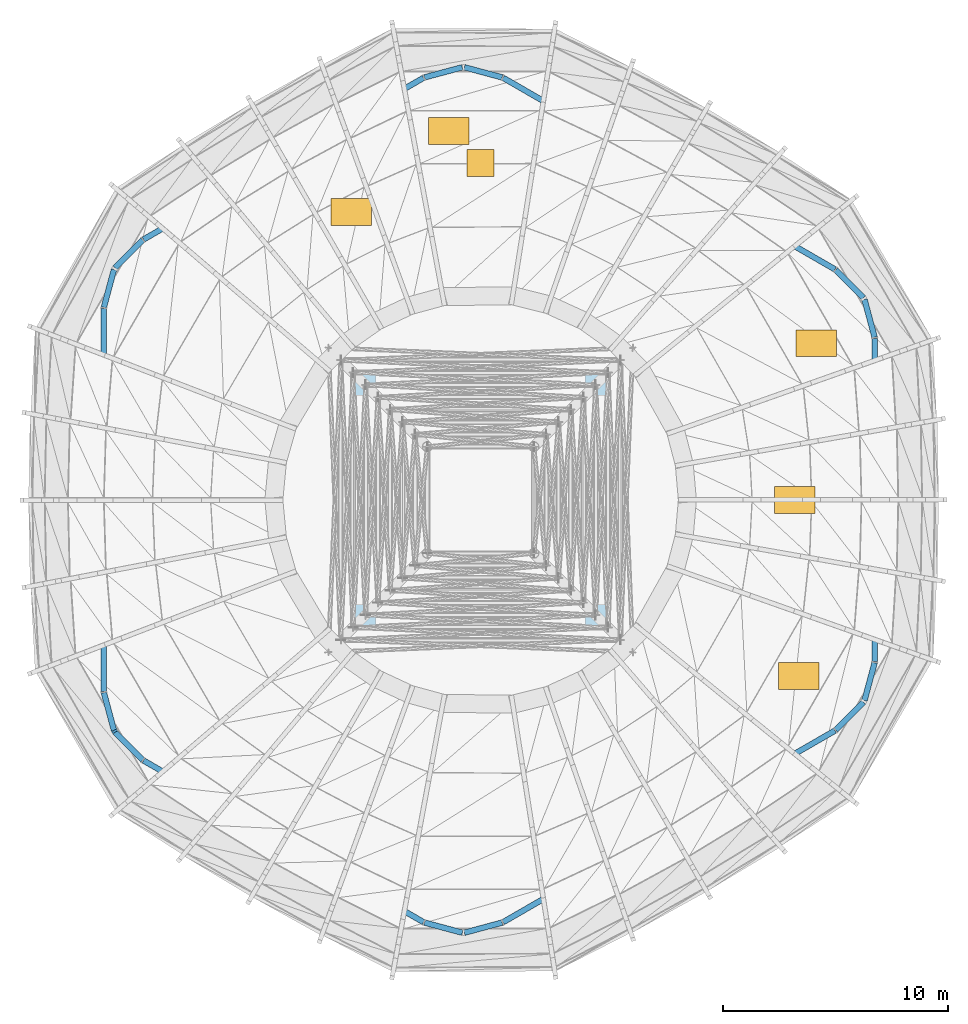
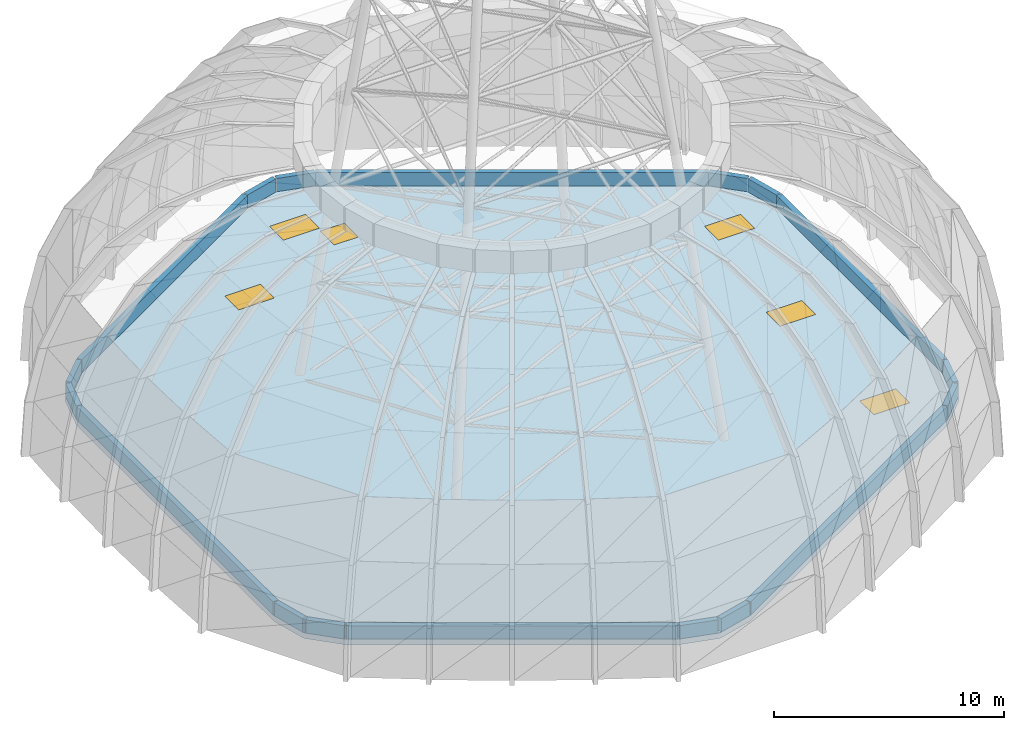
"""IFC4 building model written with IfcOpenShell, lengths in metres."""

from ifc_helpers import new_model, si_unit, direction, frame, frame_2d, origin, origin_2d, place, context, subcontext, project, spatial, polyline, rectangle, outline, extrude, material, layer, layer_set, type_object, element, fill, save


model = new_model("IFC4")

# Units and contexts
model_context = context("Model", 3, precision=1e-05, world=origin(), true_north=direction((0.0, 1.0)))
body_context = subcontext(model_context, "Body", "Model", "MODEL_VIEW")
ifc_project = project(units=[si_unit("LENGTHUNIT", "METRE"), si_unit("AREAUNIT", "SQUARE_METRE"), si_unit("VOLUMEUNIT", "CUBIC_METRE"), si_unit("PLANEANGLEUNIT", "RADIAN"), si_unit("MASSUNIT", "GRAM", prefix="KILO")], contexts=[model_context])

# Site, building, storey
site_placement = place(None, origin())
site = spatial("IfcSite", under=ifc_project, at=site_placement, CompositionType="ELEMENT")
building_placement = place(site_placement, origin())
building = spatial("IfcBuilding", under=site, at=building_placement, Name="Ayvan Gate Tower", CompositionType="ELEMENT")
storey_1_placement = place(building_placement, frame((0.0, 0.0, 267.699951171875)))
storey_1 = spatial("IfcBuildingStorey", under=building, at=storey_1_placement, Name="Roof", CompositionType="ELEMENT", Elevation=267.699951171875)

# Slab, openings
ifc_material_1 = material(Name="Concrete C40/50", Category="concrete")
ifc_layer_1 = layer(ifc_material_1, 0.300048828125)
ifc_layer_set_1 = layer_set([ifc_layer_1], Name="Concrete C40/50")
slab_type = type_object("IfcSlabType", Name="Roof slab 300", PredefinedType="ROOF", material=ifc_layer_set_1)
slab_placement = place(storey_1_placement, origin())
slab = element("IfcSlab", 1, at=slab_placement, inside=storey_1, type_object=slab_type, Name="Roof slab", PredefinedType="ROOF", context=body_context, shape_type="SweptSolid", body=[
    extrude(outline(polyline([(1.0595703125, 18.896240234375), (0.999267578125, 18.921142578125), (-0.703369140625, 19.37744140625), (-0.832763671875, 19.37744140625), (-2.535400390625, 18.921142578125), (-2.595703125, 18.896240234375), (-15.06689453125, 11.696044921875), (-15.11865234375, 11.65625), (-16.364990234375, 10.409912109375), (-16.4296875, 10.2978515625), (-16.885986328125, 8.59521484375), (-16.89453125, 8.530517578125), (-16.89453125, -8.530517578125), (-16.885986328125, -8.59521484375), (-16.4296875, -10.2978515625), (-16.364990234375, -10.409912109375), (-15.11865234375, -11.65625), (-15.06689453125, -11.696044921875), (-2.595703125, -18.896240234375), (-2.535400390625, -18.921142578125), (-0.832763671875, -19.37744140625), (-0.703369140625, -19.37744140625), (0.999267578125, -18.921142578125), (1.0595703125, -18.896240234375), (15.8349609375, -10.36572265625), (15.88671875, -10.326171875), (17.133056640625, -9.07958984375), (17.19775390625, -8.967529296875), (17.654052734375, -7.264892578125), (17.66259765625, -7.2001953125), (17.66259765625, 7.2001953125), (17.654052734375, 7.264892578125), (17.19775390625, 8.967529296875), (17.133056640625, 9.07958984375), (15.88671875, 10.326171875), (15.8349609375, 10.36572265625), (1.0595703125, 18.896240234375)])), origin(), (0.0, 0.0, 1.0), 0.300048828125),
])
opening_1_placement = place(slab_placement, frame((0.0, 15.0, -0.010009765625)))
opening_1 = element("IfcOpeningElement", 2, at=opening_1_placement, cuts=slab, Name="Opening RH-1", PredefinedType="OPENING", context=body_context, shape_type="SweptSolid", body=[
    extrude(rectangle(XDim=1.199951171875, YDim=1.199951171875, at=origin_2d()), origin(), (0.0, 0.0, 1.0), 0.320068359375),
])
opening_2_placement = place(slab_placement, frame((-5.75390625, 12.819091796875, -0.010009765625)))
opening_2 = element("IfcOpeningElement", 3, at=opening_2_placement, cuts=slab, Name="Opening RH-2", PredefinedType="OPENING", context=body_context, shape_type="SweptSolid", body=[
    extrude(rectangle(XDim=1.800048828125, YDim=1.199951171875, at=origin_2d()), origin(), (0.0, 0.0, 1.0), 0.320068359375),
])
opening_3_placement = place(slab_placement, frame((14.929931640625, 6.97412109375, -0.010009765625)))
opening_3 = element("IfcOpeningElement", 4, at=opening_3_placement, cuts=slab, Name="Opening RH-2", PredefinedType="OPENING", context=body_context, shape_type="SweptSolid", body=[
    extrude(rectangle(XDim=1.800048828125, YDim=1.199951171875, at=origin_2d()), origin(), (0.0, 0.0, 1.0), 0.320068359375),
])
opening_4_placement = place(slab_placement, frame((13.97900390625, 0.0, -0.010009765625)))
opening_4 = element("IfcOpeningElement", 5, at=opening_4_placement, cuts=slab, Name="Opening RH-2", PredefinedType="OPENING", context=body_context, shape_type="SweptSolid", body=[
    extrude(rectangle(XDim=1.800048828125, YDim=1.199951171875, at=origin_2d()), origin(), (0.0, 0.0, 1.0), 0.320068359375),
])
opening_5_placement = place(slab_placement, frame((-1.426025390625, 16.4169921875, -0.010009765625)))
opening_5 = element("IfcOpeningElement", 6, at=opening_5_placement, cuts=slab, Name="Opening RH-2", PredefinedType="OPENING", context=body_context, shape_type="SweptSolid", body=[
    extrude(rectangle(XDim=1.800048828125, YDim=1.199951171875, at=origin_2d()), origin(), (0.0, 0.0, 1.0), 0.320068359375),
])
opening_6_placement = place(slab_placement, frame((14.159912109375, -7.8349609375, -0.010009765625)))
opening_6 = element("IfcOpeningElement", 7, at=opening_6_placement, cuts=slab, Name="Opening RH-2", PredefinedType="OPENING", context=body_context, shape_type="SweptSolid", body=[
    extrude(rectangle(XDim=1.800048828125, YDim=1.199951171875, at=origin_2d()), origin(), (0.0, 0.0, 1.0), 0.320068359375),
])

# Storey
storey_2_placement = place(building_placement, frame((0.0, 0.0, 262.89990234375)))
storey_2 = spatial("IfcBuildingStorey", under=building, at=storey_2_placement, Name="L70", CompositionType="ELEMENT", Elevation=262.89990234375)

# Window
ifc_material_2 = material(Name="Aluminium", Category="aluminium")
window_type_1 = type_object("IfcWindowType", Name="Plant equipment hatch", PartitioningType="DOUBLE_PANEL_HORIZONTAL", PredefinedType="SKYLIGHT", material=ifc_material_2)
window_1_placement = place(opening_2_placement, frame((0.0, 0.0, 0.260009765625)))
window_1 = element("IfcWindow", 8, at=window_1_placement, inside=storey_2, type_object=window_type_1, Name="Plant equipment hatch 1", OverallHeight=1.199951171875, OverallWidth=1.800048828125, PartitioningType="SINGLE_PANEL", PredefinedType="SKYLIGHT", context=body_context, shape_type="SweptSolid", body=[
    extrude(rectangle(XDim=1.800048828125, YDim=1.199951171875, at=origin_2d()), origin(), (0.0, 0.0, 1.0), 0.050048828125),
])

fill(opening_2, window_1)

window_2_placement = place(opening_3_placement, frame((0.0, 0.0, 0.260009765625)))
window_2 = element("IfcWindow", 9, at=window_2_placement, inside=storey_2, type_object=window_type_1, Name="Plant equipment hatch 2", OverallHeight=1.199951171875, OverallWidth=1.800048828125, PartitioningType="SINGLE_PANEL", PredefinedType="SKYLIGHT", context=body_context, shape_type="SweptSolid", body=[
    extrude(rectangle(XDim=1.800048828125, YDim=1.199951171875, at=origin_2d()), origin(), (0.0, 0.0, 1.0), 0.050048828125),
])

fill(opening_3, window_2)

window_3_placement = place(opening_4_placement, frame((0.0, 0.0, 0.260009765625)))
window_3 = element("IfcWindow", 10, at=window_3_placement, inside=storey_2, type_object=window_type_1, Name="Plant equipment hatch 3", OverallHeight=1.199951171875, OverallWidth=1.800048828125, PartitioningType="SINGLE_PANEL", PredefinedType="SKYLIGHT", context=body_context, shape_type="SweptSolid", body=[
    extrude(rectangle(XDim=1.800048828125, YDim=1.199951171875, at=origin_2d()), origin(), (0.0, 0.0, 1.0), 0.050048828125),
])

fill(opening_4, window_3)

window_4_placement = place(opening_5_placement, frame((0.0, 0.0, 0.260009765625)))
window_4 = element("IfcWindow", 11, at=window_4_placement, inside=storey_2, type_object=window_type_1, Name="Plant equipment hatch 4", OverallHeight=1.199951171875, OverallWidth=1.800048828125, PartitioningType="SINGLE_PANEL", PredefinedType="SKYLIGHT", context=body_context, shape_type="SweptSolid", body=[
    extrude(rectangle(XDim=1.800048828125, YDim=1.199951171875, at=origin_2d()), origin(), (0.0, 0.0, 1.0), 0.050048828125),
])

fill(opening_5, window_4)

window_5_placement = place(opening_6_placement, frame((0.0, 0.0, 0.260009765625)))
window_5 = element("IfcWindow", 12, at=window_5_placement, inside=storey_2, type_object=window_type_1, Name="Plant equipment hatch 5", OverallHeight=1.199951171875, OverallWidth=1.800048828125, PartitioningType="SINGLE_PANEL", PredefinedType="SKYLIGHT", context=body_context, shape_type="SweptSolid", body=[
    extrude(rectangle(XDim=1.800048828125, YDim=1.199951171875, at=origin_2d()), origin(), (0.0, 0.0, 1.0), 0.050048828125),
])

fill(opening_6, window_5)

window_type_2 = type_object("IfcWindowType", Name="Roof hatch", PartitioningType="SINGLE_PANEL", PredefinedType="SKYLIGHT", material=ifc_material_2)
window_6_placement = place(opening_1_placement, frame((0.0, 0.0, 0.260009765625)))
window_6 = element("IfcWindow", 13, at=window_6_placement, inside=storey_2, type_object=window_type_2, Name="Roof hatch", OverallHeight=1.199951171875, OverallWidth=1.199951171875, PartitioningType="SINGLE_PANEL", PredefinedType="SKYLIGHT", context=body_context, shape_type="SweptSolid", body=[
    extrude(rectangle(XDim=1.199951171875, YDim=1.199951171875, at=origin_2d()), origin(), (0.0, 0.0, 1.0), 0.050048828125),
])

fill(opening_1, window_6)

# Walls
ifc_material_3 = material(Name="Pale metal cladding on insulated wall")
ifc_layer_2 = layer(ifc_material_3, 0.25)
ifc_layer_set_2 = layer_set([ifc_layer_2], Name="Pale metal cladding on insulated wall")
wall_type = type_object("IfcWallType", Name="Parapet wall 250", PredefinedType="PARAPET", material=ifc_layer_set_2)
wall_1_placement = place(storey_1_placement, frame((0.958984375, 18.802734375, 0.300048828125), z_axis=(0.0, 0.0, 1.0), x_axis=(-0.965940527619, 0.258764172757, 0.0)))
element("IfcWall", 14, at=wall_1_placement, inside=storey_1, type_object=wall_type, Name="EW:parapet:01", PredefinedType="PARAPET", context=body_context, shape_type="SweptSolid", body=[
    extrude(rectangle(XDim=1.73779296875, YDim=0.25, at=frame_2d((0.868896484375, 0.0))), origin(), (0.0, 0.0, 1.0), 0.699951171875),
])
wall_2_placement = place(storey_1_placement, frame((-0.816162109375, 19.25244140625, 0.300048828125), z_axis=(0.0, 0.0, 1.0), x_axis=(-0.965949932091, -0.258729064259, 0.0)))
element("IfcWall", 15, at=wall_2_placement, inside=storey_1, type_object=wall_type, Name="EW:parapet:03", PredefinedType="PARAPET", context=body_context, shape_type="SweptSolid", body=[
    extrude(rectangle(XDim=1.738037109375, YDim=0.25, at=frame_2d((0.869140625, 0.0))), origin(), (0.0, 0.0, 1.0), 0.699951171875),
])
wall_3_placement = place(storey_1_placement, frame((-2.540283203125, 18.783935546875, 0.300048828125), z_axis=(0.0, 0.0, 1.0), x_axis=(-0.86602334692, -0.500003562577, 0.0)))
element("IfcWall", 16, at=wall_3_placement, inside=storey_1, type_object=wall_type, Name="EW:parapet:05", PredefinedType="PARAPET", context=body_context, shape_type="SweptSolid", body=[
    extrude(rectangle(XDim=14.38427734375, YDim=0.25, at=frame_2d((7.192138671875, 0.0))), origin(), (0.0, 0.0, 1.0), 0.699951171875),
])
wall_4_placement = place(storey_1_placement, frame((-15.0361328125, 11.562255859375, 0.300048828125), z_axis=(0.0, 0.0, 1.0), x_axis=(-0.707036537629, -0.707177017767, 0.0)))
element("IfcWall", 17, at=wall_4_placement, inside=storey_1, type_object=wall_type, Name="EW:parapet:07", PredefinedType="PARAPET", context=body_context, shape_type="SweptSolid", body=[
    extrude(rectangle(XDim=1.73779296875, YDim=0.25, at=frame_2d((0.868896484375, 0.0))), origin(), (0.0, 0.0, 1.0), 0.699951171875),
])
wall_5_placement = place(storey_1_placement, frame((-16.313232421875, 10.24951171875, 0.300048828125), z_axis=(0.0, 0.0, 1.0), x_axis=(-0.258895239229, -0.965905406913, 0.0)))
element("IfcWall", 18, at=wall_5_placement, inside=storey_1, type_object=wall_type, Name="EW:parapet:09", PredefinedType="PARAPET", context=body_context, shape_type="SweptSolid", body=[
    extrude(rectangle(XDim=1.738037109375, YDim=0.25, at=frame_2d((0.869140625, 0.0))), origin(), (0.0, 0.0, 1.0), 0.699951171875),
])
wall_6_placement = place(storey_1_placement, frame((-16.76953125, 8.522216796875, 0.300048828125), z_axis=(0.0, 0.0, 1.0), x_axis=(0.0, -1.0, 0.0)))
element("IfcWall", 19, at=wall_6_placement, inside=storey_1, type_object=wall_type, Name="EW:parapet:11", PredefinedType="PARAPET", context=body_context, shape_type="SweptSolid", body=[
    extrude(rectangle(XDim=17.04443359375, YDim=0.25, at=frame_2d((8.522216796875, 0.0))), origin(), (0.0, 0.0, 1.0), 0.699951171875),
])
wall_7_placement = place(storey_1_placement, frame((-16.76318359375, -8.57080078125, 0.300048828125), z_axis=(0.0, 0.0, 1.0), x_axis=(0.258895239229, -0.965905406913, 0.0)))
element("IfcWall", 20, at=wall_7_placement, inside=storey_1, type_object=wall_type, Name="EW:parapet:13", PredefinedType="PARAPET", context=body_context, shape_type="SweptSolid", body=[
    extrude(rectangle(XDim=1.738037109375, YDim=0.25, at=frame_2d((0.869140625, 0.0))), origin(), (0.0, 0.0, 1.0), 0.699951171875),
])
wall_8_placement = place(storey_1_placement, frame((-16.313232421875, -10.24951171875, 0.300048828125), z_axis=(0.0, 0.0, 1.0), x_axis=(0.499941024108, -0.866059450854, 0.0)))
element("IfcWall", 21, at=wall_8_placement, inside=storey_1, type_object=wall_type, Name="EW:parapet:14", PredefinedType="PARAPET", context=body_context, shape_type="SweptSolid", body=[
    extrude(rectangle(XDim=0.0966796875, YDim=0.25, at=frame_2d((0.04833984375, 0.0))), origin(), (0.0, 0.0, 1.0), 0.699951171875),
])
wall_9_placement = place(storey_1_placement, frame((-16.264892578125, -10.333251953125, 0.300048828125), z_axis=(0.0, 0.0, 1.0), x_axis=(0.707036537629, -0.707177017767, 0.0)))
element("IfcWall", 22, at=wall_9_placement, inside=storey_1, type_object=wall_type, Name="EW:parapet:15", PredefinedType="PARAPET", context=body_context, shape_type="SweptSolid", body=[
    extrude(rectangle(XDim=1.73779296875, YDim=0.25, at=frame_2d((0.868896484375, 0.0))), origin(), (0.0, 0.0, 1.0), 0.699951171875),
])
wall_10_placement = place(storey_1_placement, frame((-14.997314453125, -11.591796875, 0.300048828125), z_axis=(0.0, 0.0, 1.0), x_axis=(0.86602334692, -0.500003562577, 0.0)))
element("IfcWall", 23, at=wall_10_placement, inside=storey_1, type_object=wall_type, Name="EW:parapet:17", PredefinedType="PARAPET", context=body_context, shape_type="SweptSolid", body=[
    extrude(rectangle(XDim=14.38427734375, YDim=0.25, at=frame_2d((7.192138671875, 0.0))), origin(), (0.0, 0.0, 1.0), 0.699951171875),
])
wall_11_placement = place(storey_1_placement, frame((-2.4951171875, -18.802734375, 0.300048828125), z_axis=(0.0, 0.0, 1.0), x_axis=(0.965949932091, -0.258729064259, 0.0)))
element("IfcWall", 24, at=wall_11_placement, inside=storey_1, type_object=wall_type, Name="EW:parapet:19", PredefinedType="PARAPET", context=body_context, shape_type="SweptSolid", body=[
    extrude(rectangle(XDim=1.738037109375, YDim=0.25, at=frame_2d((0.869140625, 0.0))), origin(), (0.0, 0.0, 1.0), 0.699951171875),
])
wall_12_placement = place(storey_1_placement, frame((-0.7197265625, -19.25244140625, 0.300048828125), z_axis=(0.0, 0.0, 1.0), x_axis=(0.965940527619, 0.258764172757, 0.0)))
element("IfcWall", 25, at=wall_12_placement, inside=storey_1, type_object=wall_type, Name="EW:parapet:21", PredefinedType="PARAPET", context=body_context, shape_type="SweptSolid", body=[
    extrude(rectangle(XDim=1.73779296875, YDim=0.25, at=frame_2d((0.868896484375, 0.0))), origin(), (0.0, 0.0, 1.0), 0.699951171875),
])
wall_13_placement = place(storey_1_placement, frame((1.004150390625, -18.783935546875, 0.300048828125), z_axis=(0.0, 0.0, 1.0), x_axis=(0.866026486871, 0.499998124034, 0.0)))
element("IfcWall", 26, at=wall_13_placement, inside=storey_1, type_object=wall_type, Name="EW:parapet:23", PredefinedType="PARAPET", context=body_context, shape_type="SweptSolid", body=[
    extrude(rectangle(XDim=17.04443359375, YDim=0.25, at=frame_2d((8.522216796875, 0.0))), origin(), (0.0, 0.0, 1.0), 0.699951171875),
])
for number, where, z_axis, x_axis, name in (
    (27, (15.803955078125, -10.23193359375, 0.300048828125), (0.0, 0.0, 1.0), (0.707106781187, 0.707106781187, 0.0), "EW:parapet:25"),
    (28, (17.081298828125, -8.91943359375, 0.300048828125), (0.0, 0.0, 1.0), (0.258729064259, 0.965949932091, 0.0), "EW:parapet:27"),
):
    element("IfcWall", number, at=place(storey_1_placement, frame(where, z_axis=z_axis, x_axis=x_axis)), inside=storey_1, type_object=wall_type, Name=name, PredefinedType="PARAPET", context=body_context, shape_type="SweptSolid", body=[
        extrude(rectangle(XDim=1.738037109375, YDim=0.25, at=frame_2d((0.869140625, 0.0))), origin(), (0.0, 0.0, 1.0), 0.699951171875),
    ])
wall_14_placement = place(storey_1_placement, frame((17.53759765625, -7.192138671875, 0.300048828125), z_axis=(0.0, 0.0, 1.0), x_axis=(0.0, 1.0, 0.0)))
element("IfcWall", 29, at=wall_14_placement, inside=storey_1, type_object=wall_type, Name="EW:parapet:29", PredefinedType="PARAPET", context=body_context, shape_type="SweptSolid", body=[
    extrude(rectangle(XDim=14.38427734375, YDim=0.25, at=frame_2d((7.192138671875, 0.0))), origin(), (0.0, 0.0, 1.0), 0.699951171875),
])
for number, where, z_axis, x_axis, name in (
    (30, (17.531005859375, 7.240478515625, 0.300048828125), (0.0, 0.0, 1.0), (-0.258729064259, 0.965949932091, 0.0), "EW:parapet:31"),
    (31, (17.032958984375, 9.0029296875, 0.300048828125), (0.0, 0.0, 1.0), (-0.707106781187, 0.707106781187, 0.0), "EW:parapet:33"),
):
    element("IfcWall", number, at=place(storey_1_placement, frame(where, z_axis=z_axis, x_axis=x_axis)), inside=storey_1, type_object=wall_type, Name=name, PredefinedType="PARAPET", context=body_context, shape_type="SweptSolid", body=[
        extrude(rectangle(XDim=1.738037109375, YDim=0.25, at=frame_2d((0.869140625, 0.0))), origin(), (0.0, 0.0, 1.0), 0.699951171875),
    ])
wall_15_placement = place(storey_1_placement, frame((15.76513671875, 10.26171875, 0.300048828125), z_axis=(0.0, 0.0, 1.0), x_axis=(-0.866026486871, 0.499998124034, 0.0)))
element("IfcWall", 32, at=wall_15_placement, inside=storey_1, type_object=wall_type, Name="EW:parapet:35", PredefinedType="PARAPET", context=body_context, shape_type="SweptSolid", body=[
    extrude(rectangle(XDim=17.04443359375, YDim=0.25, at=frame_2d((8.522216796875, 0.0))), origin(), (0.0, 0.0, 1.0), 0.699951171875),
])

save(model, "model.ifc")
